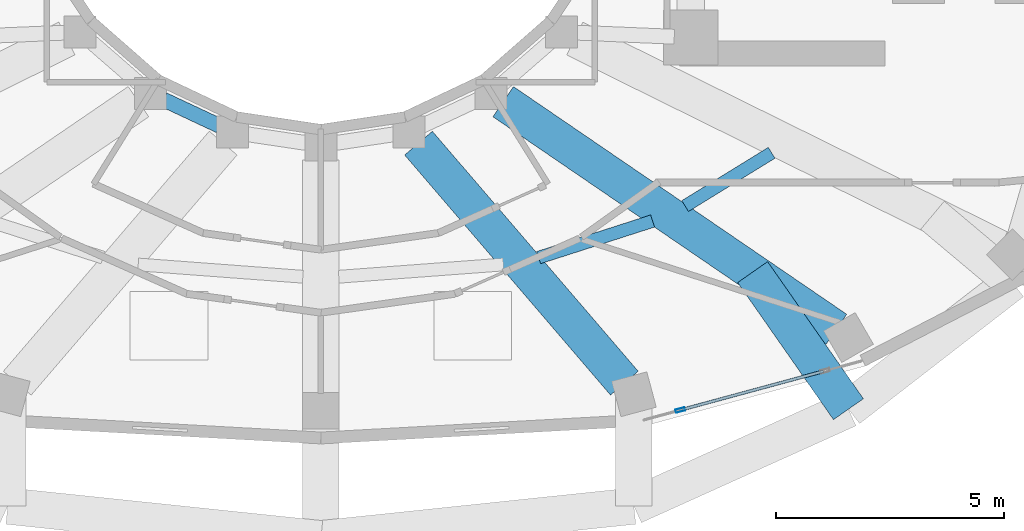
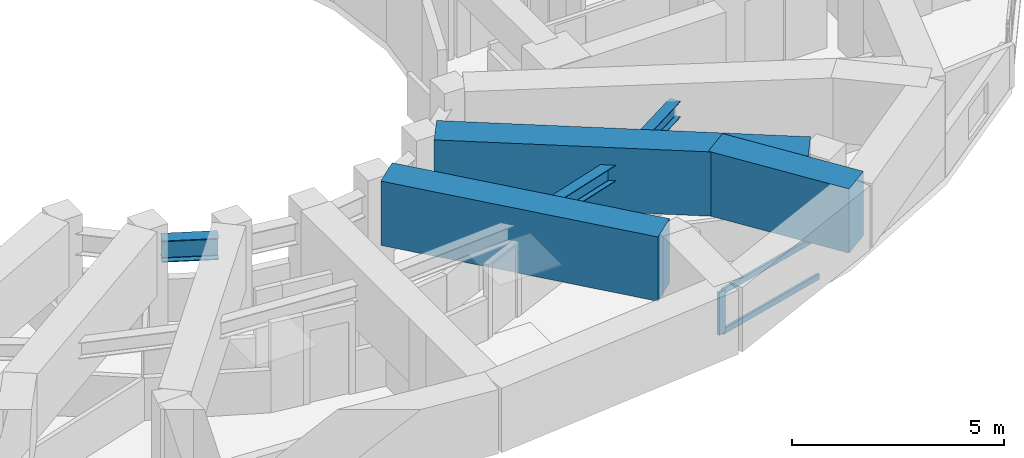
# One storey, part 4 of 19: 6 beams, 3 members, 1 element without a shape of its own.
"""IFC4 building model written with IfcOpenShell, lengths in metres."""

from ifc_helpers import new_model, si_unit, direction, frame, origin, origin_2d, place, context, subcontext, project, spatial, rectangle, hollow_rectangle, i_section, extrude, material, layer, layer_set, material_profile, profile_set, type_object, element, aggregate, save


model = new_model("IFC4")

# Units and contexts
model_context = context("Model", 3, precision=1e-05, world=origin(), true_north=direction((0.0, 1.0)))
body_context = subcontext(model_context, "Body", "Model", "MODEL_VIEW")
ifc_project = project(units=[si_unit("LENGTHUNIT", "METRE"), si_unit("AREAUNIT", "SQUARE_METRE"), si_unit("VOLUMEUNIT", "CUBIC_METRE"), si_unit("PLANEANGLEUNIT", "RADIAN"), si_unit("MASSUNIT", "GRAM", prefix="KILO")], contexts=[model_context])

# Site, building, storey
site_placement = place(None, origin())
site = spatial("IfcSite", under=ifc_project, at=site_placement, CompositionType="ELEMENT")
building_placement = place(site_placement, origin())
building = spatial("IfcBuilding", under=site, at=building_placement, Name="Solvane Sanctuary Tower", CompositionType="ELEMENT")
storey_placement = place(building_placement, frame((0.0, 0.0, 207.800048828125)))
storey = spatial("IfcBuildingStorey", under=building, at=storey_placement, Name="L63", CompositionType="ELEMENT", Elevation=207.800048828125)

# Beams
ifc_material_1 = material(Name="Steel ASTM A992 Grade 50", Category="steel")
ifc_material_profile_1 = material_profile(ifc_material_1, i_section(OverallWidth=0.324951171875, OverallDepth=0.615966796875, WebThickness=0.013916015625, FlangeThickness=0.021484375, FilletRadius=0.01611328125, at=origin_2d()), Name="W24X117")
ifc_profile_set_1 = profile_set([ifc_material_profile_1], Name="Steel ASTM A992 Grade 50")
beam_type_1 = type_object("IfcBeamType", Name="Beam B-RING-IN2 W24X117", PredefinedType="BEAM", material=ifc_profile_set_1)
beam_1_placement = place(storey_placement, frame((28.5595703125, 15.537353515625, 2.2900390625), z_axis=(0.905134542189, -0.425125229241, 0.0), x_axis=(0.425125229241, 0.905134542189, 0.0)))
element("IfcBeam", 1, at=beam_1_placement, inside=storey, type_object=beam_type_1, Name="L63 Inner Light-Well Ring Beam IC09-IC10", PredefinedType="BEAM", context=body_context, shape_type="SweptSolid", body=[
    extrude(i_section(OverallWidth=0.324951171875, OverallDepth=0.615966796875, WebThickness=0.013916015625, FlangeThickness=0.021484375, FilletRadius=0.01611328125, at=origin_2d()), origin(), (0.0, 0.0, 1.0), 1.347900390625),
])
ifc_material_profile_2 = material_profile(ifc_material_1, i_section(OverallWidth=0.280029296875, OverallDepth=0.462890625, WebThickness=0.0107421875, FlangeThickness=0.017333984375, FilletRadius=0.013916015625, at=origin_2d()), Name="W18X76")
ifc_profile_set_2 = profile_set([ifc_material_profile_2], Name="Steel ASTM A992 Grade 50")
beam_type_2 = type_object("IfcBeamType", Name="Beam B-SEC-JOIST W18X76", PredefinedType="JOIST", material=ifc_profile_set_2)
beam_2_placement = place(storey_placement, frame((36.76953125, 12.077880859375, 2.366455078125), z_axis=(0.952116669228, 0.305734931236, 0.0), x_axis=(-0.305734931236, 0.952116669228, 0.0)))
element("IfcBeam", 2, at=beam_2_placement, inside=storey, type_object=beam_type_2, Name="L63 Secondary Circumferential Joist 12-13", PredefinedType="JOIST", context=body_context, shape_type="SweptSolid", body=[
    extrude(i_section(OverallWidth=0.280029296875, OverallDepth=0.462890625, WebThickness=0.0107421875, FlangeThickness=0.017333984375, FilletRadius=0.013916015625, at=origin_2d()), origin(), (0.0, 0.0, 1.0), 2.622314453125),
])
beam_3_placement = place(storey_placement, frame((39.97900390625, 13.20751953125, 2.366455078125), z_axis=(0.8516281705, 0.524146410091, 0.0), x_axis=(-0.524146410091, 0.8516281705, 0.0)))
element("IfcBeam", 3, at=beam_3_placement, inside=storey, type_object=beam_type_2, Name="L63 Secondary Circumferential Joist 13-14", PredefinedType="JOIST", context=body_context, shape_type="SweptSolid", body=[
    extrude(i_section(OverallWidth=0.280029296875, OverallDepth=0.462890625, WebThickness=0.0107421875, FlangeThickness=0.017333984375, FilletRadius=0.013916015625, at=origin_2d()), origin(), (0.0, 0.0, 1.0), 2.224609375),
])
ifc_material_2 = material(Name="Concrete C70/85", Category="concrete")
ifc_material_profile_3 = material_profile(ifc_material_2, rectangle(XDim=0.800048828125, YDim=1.85009765625, at=origin_2d()), Name="RC800X1850")
ifc_profile_set_3 = profile_set([ifc_material_profile_3], Name="Concrete C70/85")
beam_type_3 = type_object("IfcBeamType", Name="Beam B-XFER-BLK RC800X1850", PredefinedType="BEAM", material=ifc_profile_set_3)
beam_4_placement = place(storey_placement, frame((34.13916015625, 14.58544921875, 2.175048828125), z_axis=(0.651014889966, -0.759064959699, 0.0), x_axis=(0.759064959699, 0.651014889966, 0.0)))
element("IfcBeam", 4, at=beam_4_placement, inside=storey, type_object=beam_type_3, Name="L63 Block-Shift Radial Transfer Girder 12A", PredefinedType="BEAM", context=body_context, shape_type="SweptSolid", body=[
    extrude(rectangle(XDim=0.800048828125, YDim=1.85009765625, at=origin_2d()), origin(), (0.0, 0.0, 1.0), 6.92529296875),
])
beam_5_placement = place(storey_placement, frame((35.994140625, 15.492919921875, 2.175048828125), z_axis=(0.825702118839, -0.564106382648, 0.0), x_axis=(0.564106382648, 0.825702118839, 0.0)))
element("IfcBeam", 5, at=beam_5_placement, inside=storey, type_object=beam_type_3, Name="L63 Block-Shift Radial Transfer Girder 13A", PredefinedType="BEAM", context=body_context, shape_type="SweptSolid", body=[
    extrude(rectangle(XDim=0.800048828125, YDim=1.85009765625, at=origin_2d()), origin(), (0.0, 0.0, 1.0), 8.837158203125),
])
beam_6_placement = place(storey_placement, frame((41.456787109375, 11.760986328125, 2.175048828125), z_axis=(0.572853840349, -0.819657536778, 0.0), x_axis=(0.819657536778, 0.572853840349, 0.0)))
element("IfcBeam", 6, at=beam_6_placement, inside=storey, type_object=beam_type_3, Name="L63 Block-Shift Transfer Tie 13B", PredefinedType="BEAM", context=body_context, shape_type="SweptSolid", body=[
    extrude(rectangle(XDim=0.800048828125, YDim=1.85009765625, at=origin_2d()), origin(), (0.0, 0.0, 1.0), 3.6630859375),
])

# Curtain wall, members
ifc_material_3 = material(Name="Anodised Aluminium 6063-T6", Category="aluminium")
ifc_layer = layer(ifc_material_3, 0.18994140625, Name="Anodised Aluminium 6063-T6")
ifc_layer_set = layer_set([ifc_layer], Name="Anodised Aluminium 6063-T6")
curtain_wall_type = type_object("IfcCurtainWallType", Name="Curtain Wall CW-OPER", PredefinedType="NOTDEFINED", material=ifc_layer_set)
curtain_wall_placement = place(storey_placement, origin())
curtain_wall = element("IfcCurtainWall", 7, at=curtain_wall_placement, inside=storey, type_object=curtain_wall_type, Name="L63 CW-OPER Facade Run 19", PredefinedType="NOTDEFINED")
ifc_material_profile_4 = material_profile(ifc_material_3, hollow_rectangle(XDim=0.074951171875, YDim=0.199951171875, WallThickness=0.00390625, at=origin_2d()), Name="ALU200X75X4")
ifc_profile_set_4 = profile_set([ifc_material_profile_4], Name="Anodised Aluminium 6063-T6")
member_type_1 = type_object("IfcMemberType", Name="Member M-CW-MUL-1 ALU200X75X4", PredefinedType="MULLION", material=ifc_profile_set_4)
member_1_placement = place(storey_placement, frame((39.87060546875, 8.739501953125, 0.0), z_axis=(0.0, 0.0, 1.0), x_axis=(-0.261468027073, 0.965212137728, 0.0)))
member_1 = element("IfcMember", 8, at=member_1_placement, type_object=member_type_1, Name="CW-OPER mullion 1", PredefinedType="MULLION", context=body_context, shape_type="SweptSolid", body=[
    extrude(hollow_rectangle(XDim=0.074951171875, YDim=0.199951171875, WallThickness=0.00390625, at=origin_2d()), origin(), (0.0, 0.0, 1.0), 1.219970703125),
])
ifc_material_profile_5 = material_profile(ifc_material_3, hollow_rectangle(XDim=0.06494140625, YDim=0.159912109375, WallThickness=0.00341796875, at=origin_2d()), Name="ALU160X65X3.5")
ifc_profile_set_5 = profile_set([ifc_material_profile_5], Name="Anodised Aluminium 6063-T6")
member_type_2 = type_object("IfcMemberType", Name="Member M-CW-TRN-1 ALU160X65X3.5", PredefinedType="USERDEFINED", material=ifc_profile_set_5)
member_2_placement = place(storey_placement, frame((39.906982421875, 8.749267578125, 0.032470703125), z_axis=(0.965206383787, 0.261489266885, 0.0), x_axis=(-0.261489266885, 0.965206383787, 0.0)))
member_2 = element("IfcMember", 9, at=member_2_placement, type_object=member_type_2, Name="CW-OPER transom 1.1", ObjectType="TRANSOM", PredefinedType="USERDEFINED", context=body_context, shape_type="SweptSolid", body=[
    extrude(hollow_rectangle(XDim=0.06494140625, YDim=0.159912109375, WallThickness=0.00341796875, at=origin_2d()), origin(), (0.0, 0.0, 1.0), 3.2109375),
])
member_3_placement = place(storey_placement, frame((39.906982421875, 8.749267578125, 1.1875), z_axis=(0.965206383787, 0.261489266885, 0.0), x_axis=(-0.261489266885, 0.965206383787, 0.0)))
member_3 = element("IfcMember", 10, at=member_3_placement, type_object=member_type_2, Name="CW-OPER transom 1.2", ObjectType="TRANSOM", PredefinedType="USERDEFINED", context=body_context, shape_type="SweptSolid", body=[
    extrude(hollow_rectangle(XDim=0.06494140625, YDim=0.159912109375, WallThickness=0.00341796875, at=origin_2d()), origin(), (0.0, 0.0, 1.0), 3.2109375),
])
aggregate(curtain_wall, [member_1, member_2, member_3])

save(model, "model.ifc")
